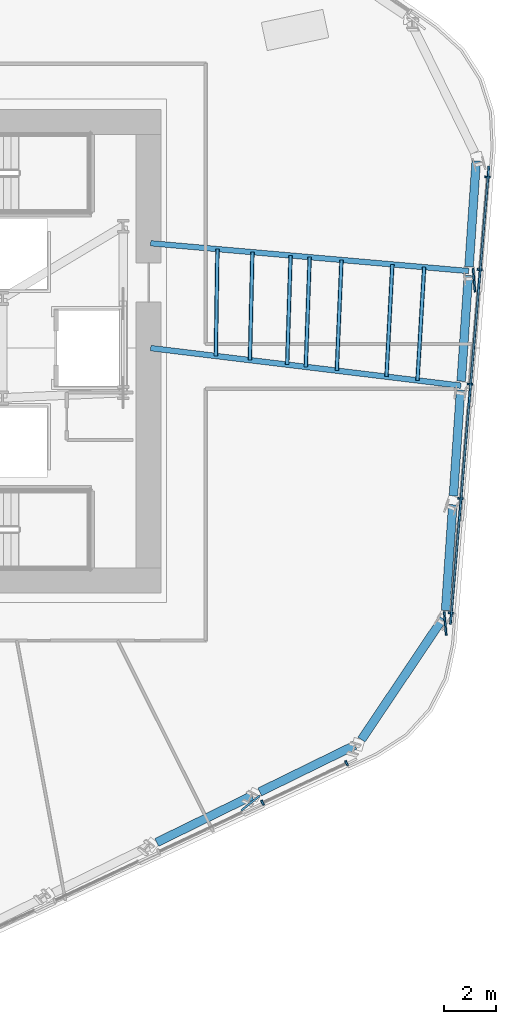
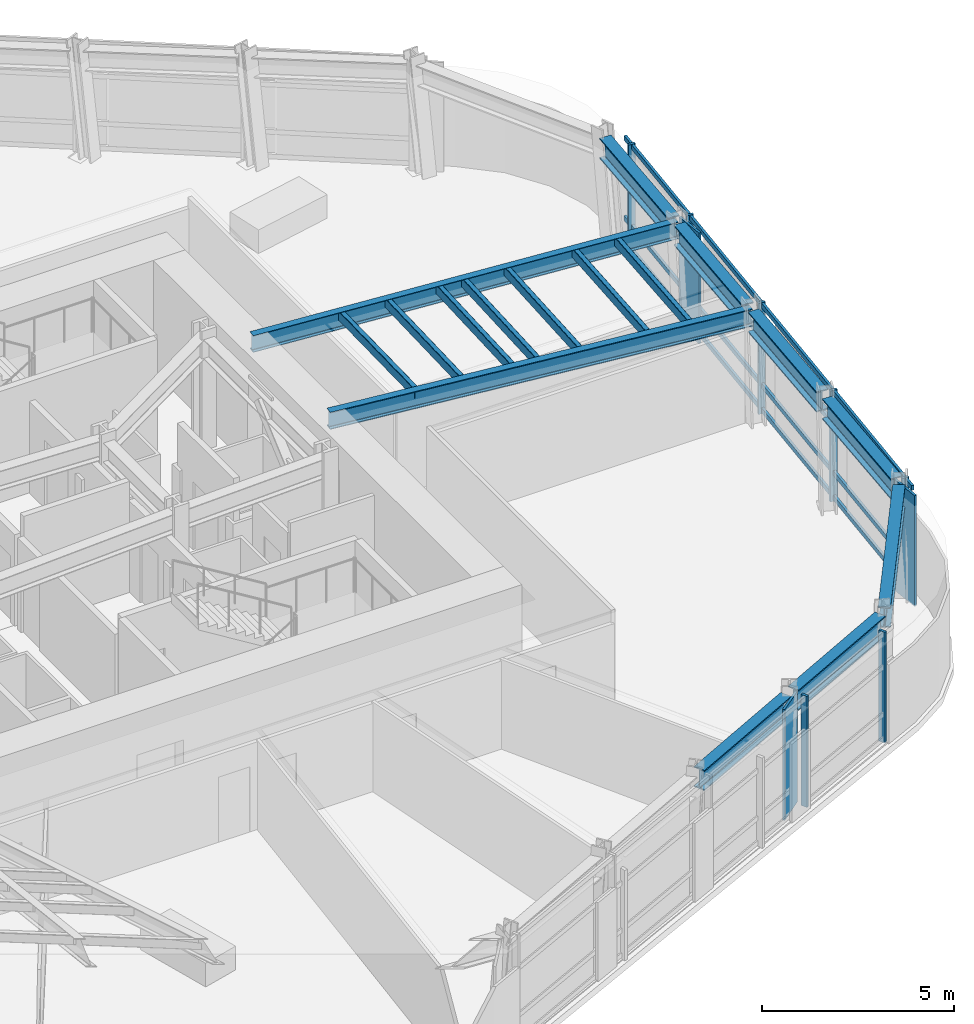
# One storey, part 5 of 19: 21 members, 9 beams, 2 elements without a shape of their own.
"""IFC4 building model written with IfcOpenShell, lengths in metres."""

from ifc_helpers import new_model, si_unit, direction, frame, origin, origin_2d, place, context, subcontext, project, spatial, rectangle, hollow_rectangle, i_section, extrude, material, layer, layer_set, material_profile, profile_set, type_object, element, aggregate, save


model = new_model("IFC4")

# Units and contexts
model_context = context("Model", 3, precision=1e-05, world=origin(), true_north=direction((0.0, 1.0)))
body_context = subcontext(model_context, "Body", "Model", "MODEL_VIEW")
ifc_project = project(units=[si_unit("LENGTHUNIT", "METRE"), si_unit("AREAUNIT", "SQUARE_METRE"), si_unit("VOLUMEUNIT", "CUBIC_METRE"), si_unit("PLANEANGLEUNIT", "RADIAN"), si_unit("MASSUNIT", "GRAM", prefix="KILO")], contexts=[model_context])

# Site, building, storey
site_placement = place(None, origin())
site = spatial("IfcSite", under=ifc_project, at=site_placement, CompositionType="ELEMENT")
building_placement = place(site_placement, origin())
building = spatial("IfcBuilding", under=site, at=building_placement, Name="Valkerne Bourse Tower", CompositionType="ELEMENT")
storey_placement = place(building_placement, frame((0.0, 0.0, 131.39990234375)))
storey = spatial("IfcBuildingStorey", under=building, at=storey_placement, Name="L33", CompositionType="ELEMENT", Elevation=131.39990234375)

# Beams
ifc_material_1 = material(Name="Steel ASTM A992", Category="steel")
ifc_material_profile_1 = material_profile(ifc_material_1, i_section(OverallWidth=0.209228515625, OverallDepth=0.533447265625, WebThickness=0.01025390625, FlangeThickness=0.015625, FilletRadius=0.017822265625, at=origin_2d()), Name="W21X62")
ifc_profile_set_1 = profile_set([ifc_material_profile_1], Name="Steel ASTM A992")
beam_type_1 = type_object("IfcBeamType", Name="BM-W21X62", PredefinedType="JOIST", material=ifc_profile_set_1)
beam_1_placement = place(storey_placement, frame((68.136962890625, 29.938720703125, 3.25341796875), z_axis=(-0.99619874035, 0.087109527172, 0.0), x_axis=(-0.087109527172, -0.99619874035, 0.0)))
element("IfcBeam", 1, at=beam_1_placement, inside=storey, type_object=beam_type_1, Name="L33 Radial Composite Floor Beam 28", PredefinedType="JOIST", context=body_context, shape_type="SweptSolid", body=[
    extrude(i_section(OverallWidth=0.209228515625, OverallDepth=0.533447265625, WebThickness=0.01025390625, FlangeThickness=0.015625, FilletRadius=0.017822265625, at=origin_2d()), origin(), (0.0, 0.0, 1.0), 12.183349609375),
])
ifc_material_profile_2 = material_profile(ifc_material_1, i_section(OverallWidth=0.2138671875, OverallDepth=0.548583984375, WebThickness=0.0146484375, FlangeThickness=0.023681640625, FilletRadius=0.017822265625, at=origin_2d()), Name="W21X93")
ifc_profile_set_2 = profile_set([ifc_material_profile_2], Name="Steel ASTM A992")
beam_type_2 = type_object("IfcBeamType", Name="BM-W21X93", PredefinedType="BEAM", material=ifc_profile_set_2)
beam_2_placement = place(storey_placement, frame((67.8388671875, 25.565673828125, 3.245849609375), z_axis=(-0.992740672423, 0.120274508176, 0.0), x_axis=(-0.120274508176, -0.992740672423, 0.0)))
element("IfcBeam", 2, at=beam_2_placement, inside=storey, type_object=beam_type_2, Name="L33 Radial Composite Floor Beam 27", PredefinedType="BEAM", context=body_context, shape_type="SweptSolid", body=[
    extrude(i_section(OverallWidth=0.2138671875, OverallDepth=0.548583984375, WebThickness=0.0146484375, FlangeThickness=0.023681640625, FilletRadius=0.017822265625, at=origin_2d()), origin(), (0.0, 0.0, 1.0), 11.925537109375),
])
ifc_material_profile_3 = material_profile(ifc_material_1, i_section(OverallWidth=0.330078125, OverallDepth=0.647705078125, WebThickness=0.0205078125, FlangeThickness=0.037109375, FilletRadius=0.020263671875, at=origin_2d()), Name="W24X192")
ifc_profile_set_3 = profile_set([ifc_material_profile_3], Name="Steel ASTM A992")
beam_type_3 = type_object("IfcBeamType", Name="BM-W24X192", PredefinedType="SPANDREL", material=ifc_profile_set_3)
for number, where, z_axis, x_axis, name in (
    (3, (56.22998046875, 8.137451171875, 3.1962890625), (0.898033008818, 0.439928079432, 0.0), (-0.439928079432, 0.898033008818, 0.0), "L33 Hexagonal Spandrel Ring Beam 22"),
    (4, (60.166015625, 10.065673828125, 3.1962890625), (0.898009150567, 0.439976778363, 0.0), (-0.439976778363, 0.898009150567, 0.0), "L33 Hexagonal Spandrel Ring Beam 23"),
):
    element("IfcBeam", number, at=place(storey_placement, frame(where, z_axis=z_axis, x_axis=x_axis)), inside=storey, type_object=beam_type_3, Name=name, PredefinedType="SPANDREL", context=body_context, shape_type="SweptSolid", body=[
        extrude(i_section(OverallWidth=0.330078125, OverallDepth=0.647705078125, WebThickness=0.0205078125, FlangeThickness=0.037109375, FilletRadius=0.020263671875, at=origin_2d()), origin(), (0.0, 0.0, 1.0), 4.04296875),
    ])
beam_3_placement = place(storey_placement, frame((64.044189453125, 12.060302734375, 3.1962890625), z_axis=(0.557764198192, 0.829999457358, 0.0), x_axis=(-0.829999457358, 0.557764198192, 0.0)))
element("IfcBeam", 5, at=beam_3_placement, inside=storey, type_object=beam_type_3, Name="L33 Hexagonal Spandrel Ring Beam 24", PredefinedType="SPANDREL", context=body_context, shape_type="SweptSolid", body=[
    extrude(i_section(OverallWidth=0.330078125, OverallDepth=0.647705078125, WebThickness=0.0205078125, FlangeThickness=0.037109375, FilletRadius=0.020263671875, at=origin_2d()), origin(), (0.0, 0.0, 1.0), 5.564697265625),
])
beam_4_placement = place(storey_placement, frame((67.25439453125, 16.989501953125, 3.1962890625), z_axis=(0.067993835171, 0.997685741293, 0.0), x_axis=(-0.997685741293, 0.067993835171, 0.0)))
element("IfcBeam", 6, at=beam_4_placement, inside=storey, type_object=beam_type_3, Name="L33 Hexagonal Spandrel Ring Beam 25", PredefinedType="SPANDREL", context=body_context, shape_type="SweptSolid", body=[
    extrude(i_section(OverallWidth=0.330078125, OverallDepth=0.647705078125, WebThickness=0.0205078125, FlangeThickness=0.037109375, FilletRadius=0.020263671875, at=origin_2d()), origin(), (0.0, 0.0, 1.0), 4.04296875),
])
beam_5_placement = place(storey_placement, frame((67.552490234375, 21.362548828125, 3.1962890625), z_axis=(0.067997931743, 0.997685462097, 0.0), x_axis=(-0.997685462097, 0.067997931743, 0.0)))
element("IfcBeam", 7, at=beam_5_placement, inside=storey, type_object=beam_type_3, Name="L33 Hexagonal Spandrel Ring Beam 26", PredefinedType="SPANDREL", context=body_context, shape_type="SweptSolid", body=[
    extrude(i_section(OverallWidth=0.330078125, OverallDepth=0.647705078125, WebThickness=0.0205078125, FlangeThickness=0.037109375, FilletRadius=0.020263671875, at=origin_2d()), origin(), (0.0, 0.0, 1.0), 4.042724609375),
])
for number, where, z_axis, x_axis, name in (
    (8, (67.8505859375, 25.7353515625, 3.1962890625), (0.067993835171, 0.997685741293, 0.0), (-0.997685741293, 0.067993835171, 0.0), "L33 Hexagonal Spandrel Ring Beam 27"),
    (9, (68.148681640625, 30.108154296875, 3.1962890625), (0.067993835171, 0.997685741293, 0.0), (-0.997685741293, 0.067993835171, 0.0), "L33 Hexagonal Spandrel Ring Beam 28"),
):
    element("IfcBeam", number, at=place(storey_placement, frame(where, z_axis=z_axis, x_axis=x_axis)), inside=storey, type_object=beam_type_3, Name=name, PredefinedType="SPANDREL", context=body_context, shape_type="SweptSolid", body=[
        extrude(i_section(OverallWidth=0.330078125, OverallDepth=0.647705078125, WebThickness=0.0205078125, FlangeThickness=0.037109375, FilletRadius=0.020263671875, at=origin_2d()), origin(), (0.0, 0.0, 1.0), 4.04296875),
    ])

# Curtain wall, members
ifc_material_2 = material(Name="Aluminium AA 6063-T6", Category="aluminium")
ifc_layer = layer(ifc_material_2, 0.22998046875)
ifc_layer_set = layer_set([ifc_layer], Name="Aluminium AA 6063-T6")
curtain_wall_type = type_object("IfcCurtainWallType", Name="CW-02", PredefinedType="NOTDEFINED", material=ifc_layer_set)
curtain_wall_1_placement = place(storey_placement, origin())
curtain_wall_1 = element("IfcCurtainWall", 10, at=curtain_wall_1_placement, inside=storey, type_object=curtain_wall_type, Name="L33 Hexagonal Stick Curtain Wall Face 5", PredefinedType="NOTDEFINED")
ifc_material_profile_4 = material_profile(ifc_material_2, rectangle(XDim=0.074951171875, YDim=0.199951171875, at=origin_2d()), Name="CWM-75X200")
ifc_profile_set_4 = profile_set([ifc_material_profile_4], Name="Aluminium AA 6063-T6")
member_type_1 = type_object("IfcMemberType", Name="CW-MUL-220X75", PredefinedType="MULLION", material=ifc_profile_set_4)
member_1_placement = place(storey_placement, frame((60.269287109375, 9.65673828125, 0.0), z_axis=(0.0, 0.0, 1.0), x_axis=(0.904832662714, 0.425767368977, 0.0)))
member_1 = element("IfcMember", 11, at=member_1_placement, type_object=member_type_1, Name="CW-L33-F5 Jamb Mullion 03A", PredefinedType="MULLION", context=body_context, shape_type="SweptSolid", body=[
    extrude(rectangle(XDim=0.074951171875, YDim=0.199951171875, at=origin_2d()), origin(), (0.0, 0.0, 1.0), 3.52001953125),
])
member_2_placement = place(storey_placement, frame((63.47509765625, 11.1650390625, 0.0), z_axis=(0.0, 0.0, 1.0), x_axis=(0.904832662714, 0.425767368977, 0.0)))
member_2 = element("IfcMember", 12, at=member_2_placement, type_object=member_type_1, Name="CW-L33-F5 Jamb Mullion 03B", PredefinedType="MULLION", context=body_context, shape_type="SweptSolid", body=[
    extrude(rectangle(XDim=0.074951171875, YDim=0.199951171875, at=origin_2d()), origin(), (0.0, 0.0, 1.0), 3.52001953125),
])
aggregate(curtain_wall_1, [member_1, member_2])

curtain_wall_2_placement = place(storey_placement, origin())
curtain_wall_2 = element("IfcCurtainWall", 13, at=curtain_wall_2_placement, inside=storey, type_object=curtain_wall_type, Name="L33 Hexagonal Stick Curtain Wall Face 6", PredefinedType="NOTDEFINED")
member_3_placement = place(storey_placement, frame((67.4541015625, 16.890380859375, 0.0), z_axis=(0.0, 0.0, 1.0), x_axis=(0.083687445044, 0.996492052925, 0.0)))
member_3 = element("IfcMember", 14, at=member_3_placement, type_object=member_type_1, Name="CW-L33-F6 Jamb Mullion 00A", PredefinedType="MULLION", context=body_context, shape_type="SweptSolid", body=[
    extrude(rectangle(XDim=0.074951171875, YDim=0.199951171875, at=origin_2d()), origin(), (0.0, 0.0, 1.0), 3.52001953125),
])
member_4_placement = place(storey_placement, frame((67.821044921875, 21.2578125, 0.0), z_axis=(0.0, 0.0, 1.0), x_axis=(0.083687445044, 0.996492052925, 0.0)))
member_4 = element("IfcMember", 15, at=member_4_placement, type_object=member_type_1, Name="CW-L33-F6 Jamb Mullion 01A", PredefinedType="MULLION", context=body_context, shape_type="SweptSolid", body=[
    extrude(rectangle(XDim=0.074951171875, YDim=0.199951171875, at=origin_2d()), origin(), (0.0, 0.0, 1.0), 3.52001953125),
])
member_5_placement = place(storey_placement, frame((68.187744140625, 25.62548828125, 0.0), z_axis=(0.0, 0.0, 1.0), x_axis=(0.083662887107, 0.996494115046, 0.0)))
member_5 = element("IfcMember", 16, at=member_5_placement, type_object=member_type_1, Name="CW-L33-F6 Jamb Mullion 02A", PredefinedType="MULLION", context=body_context, shape_type="SweptSolid", body=[
    extrude(rectangle(XDim=0.074951171875, YDim=0.199951171875, at=origin_2d()), origin(), (0.0, 0.0, 1.0), 3.52001953125),
])
member_6_placement = place(storey_placement, frame((68.554443359375, 29.9931640625, 0.0), z_axis=(0.0, 0.0, 1.0), x_axis=(0.083687445044, 0.996492052925, 0.0)))
member_6 = element("IfcMember", 17, at=member_6_placement, type_object=member_type_1, Name="CW-L33-F6 Jamb Mullion 03A", PredefinedType="MULLION", context=body_context, shape_type="SweptSolid", body=[
    extrude(rectangle(XDim=0.074951171875, YDim=0.199951171875, at=origin_2d()), origin(), (0.0, 0.0, 1.0), 3.52001953125),
])
member_7_placement = place(storey_placement, frame((68.85107421875, 33.523681640625, 0.0), z_axis=(0.0, 0.0, 1.0), x_axis=(0.083687445044, 0.996492052925, 0.0)))
member_7 = element("IfcMember", 18, at=member_7_placement, type_object=member_type_1, Name="CW-L33-F6 Jamb Mullion 03B", PredefinedType="MULLION", context=body_context, shape_type="SweptSolid", body=[
    extrude(rectangle(XDim=0.074951171875, YDim=0.199951171875, at=origin_2d()), origin(), (0.0, 0.0, 1.0), 3.52001953125),
])
ifc_material_profile_5 = material_profile(ifc_material_2, rectangle(XDim=0.074951171875, YDim=0.14990234375, at=origin_2d()), Name="CWT-75X150")
ifc_profile_set_5 = profile_set([ifc_material_profile_5], Name="Aluminium AA 6063-T6")
member_type_2 = type_object("IfcMemberType", Name="CW-TRN-180X65", PredefinedType="USERDEFINED", material=ifc_profile_set_5)
member_8_placement = place(storey_placement, frame((67.43896484375, 16.47021484375, 0.1201171875), z_axis=(0.083678159723, 0.996492832681, 0.0), x_axis=(-0.996492832681, 0.083678159723, 0.0)))
member_8 = element("IfcMember", 19, at=member_8_placement, type_object=member_type_2, Name="CW-L33-F6 Continuous Face Transom 1", ObjectType="TRANSOM", PredefinedType="USERDEFINED", context=body_context, shape_type="SweptSolid", body=[
    extrude(rectangle(XDim=0.074951171875, YDim=0.14990234375, at=origin_2d()), origin(), (0.0, 0.0, 1.0), 17.531982421875),
])
member_9_placement = place(storey_placement, frame((67.43896484375, 16.47021484375, 0.900146484375), z_axis=(0.083678159723, 0.996492832681, 0.0), x_axis=(-0.996492832681, 0.083678159723, 0.0)))
member_9 = element("IfcMember", 20, at=member_9_placement, type_object=member_type_2, Name="CW-L33-F6 Continuous Face Transom 2", ObjectType="TRANSOM", PredefinedType="USERDEFINED", context=body_context, shape_type="SweptSolid", body=[
    extrude(rectangle(XDim=0.074951171875, YDim=0.14990234375, at=origin_2d()), origin(), (0.0, 0.0, 1.0), 17.531982421875),
])
member_10_placement = place(storey_placement, frame((67.43896484375, 16.47021484375, 2.400146484375), z_axis=(0.083678159723, 0.996492832681, 0.0), x_axis=(-0.996492832681, 0.083678159723, 0.0)))
member_10 = element("IfcMember", 21, at=member_10_placement, type_object=member_type_2, Name="CW-L33-F6 Continuous Face Transom 3", ObjectType="TRANSOM", PredefinedType="USERDEFINED", context=body_context, shape_type="SweptSolid", body=[
    extrude(rectangle(XDim=0.074951171875, YDim=0.14990234375, at=origin_2d()), origin(), (0.0, 0.0, 1.0), 17.531982421875),
])
member_11_placement = place(storey_placement, frame((67.43896484375, 16.47021484375, 3.440185546875), z_axis=(0.083678159723, 0.996492832681, 0.0), x_axis=(-0.996492832681, 0.083678159723, 0.0)))
member_11 = element("IfcMember", 22, at=member_11_placement, type_object=member_type_2, Name="CW-L33-F6 Continuous Face Transom 4", ObjectType="TRANSOM", PredefinedType="USERDEFINED", context=body_context, shape_type="SweptSolid", body=[
    extrude(rectangle(XDim=0.074951171875, YDim=0.14990234375, at=origin_2d()), origin(), (0.0, 0.0, 1.0), 17.531982421875),
])
aggregate(curtain_wall_2, [member_8, member_9, member_10, member_11, member_3, member_4, member_5, member_6, member_7])

# Members
ifc_material_3 = material(Name="Bronze Anodised Aluminium AA 6063-T6", Category="aluminium")
ifc_material_profile_6 = material_profile(ifc_material_3, rectangle(XDim=0.070068359375, YDim=0.89990234375, at=origin_2d()), Name="FIN-70X900")
ifc_profile_set_6 = profile_set([ifc_material_profile_6], Name="Bronze Anodised Aluminium AA 6063-T6")
member_type_3 = type_object("IfcMemberType", Name="FIN-SOLAR-900", PredefinedType="USERDEFINED", material=ifc_profile_set_6)
for number, where, z_axis, x_axis, name in (
    (23, (59.812744140625, 9.640625, 0.004150390625), (0.0, 0.0, 1.0), (0.625283521661, -0.780397666282, 0.0), "L33 Bronze Anodised Solar Fin F5-03"),
    (24, (67.239501953125, 16.48681640625, 0.004150390625), (0.0, 0.0, 1.0), (0.995961958968, 0.089776256824, 0.0), "L33 Bronze Anodised Solar Fin F6-00"),
    (25, (68.33984375, 29.589599609375, 0.004150390625), (0.0, 0.0, 1.0), (0.995961958968, 0.089776256824, 0.0), "L33 Bronze Anodised Solar Fin F6-03"),
):
    element("IfcMember", number, at=place(storey_placement, frame(where, z_axis=z_axis, x_axis=x_axis)), inside=storey, type_object=member_type_3, Name=name, ObjectType="SOLAR_FIN", PredefinedType="USERDEFINED", context=body_context, shape_type="SweptSolid", body=[
        extrude(rectangle(XDim=0.070068359375, YDim=0.89990234375, at=origin_2d()), origin(), (0.0, 0.0, 1.0), 3.511962890625),
    ])
ifc_material_4 = material(Name="Steel ASTM A500 Grade C", Category="steel")
ifc_material_profile_7 = material_profile(ifc_material_4, hollow_rectangle(XDim=0.14990234375, YDim=0.300048828125, WallThickness=0.012451171875, OuterFilletRadius=0.02490234375, at=origin_2d()), Name="HSS300X150X12.5")
ifc_profile_set_7 = profile_set([ifc_material_profile_7], Name="Steel ASTM A500 Grade C")
member_type_4 = type_object("IfcMemberType", Name="MBR-HSS300X150X12.5", PredefinedType="PURLIN", material=ifc_profile_set_7)
member_12_placement = place(storey_placement, frame((59.788330078125, 26.541015625, 3.360107421875), z_axis=(0.023166897414, 0.999731611416, 0.0), x_axis=(-0.999731611416, 0.023166897414, 0.0)))
element("IfcMember", 26, at=member_12_placement, inside=storey, type_object=member_type_4, Name="L33 Secondary Composite Floor Purlin I-27", PredefinedType="PURLIN", context=body_context, shape_type="SweptSolid", body=[
    extrude(hollow_rectangle(XDim=0.14990234375, YDim=0.300048828125, WallThickness=0.012451171875, OuterFilletRadius=0.02490234375, at=origin_2d()), origin(), (0.0, 0.0, 1.0), 4.12060546875),
])
member_13_placement = place(storey_placement, frame((61.208984375, 26.368896484375, 3.360107421875), z_axis=(0.031527471418, 0.999502885712, 0.0), x_axis=(-0.999502885712, 0.031527471418, 0.0)))
element("IfcMember", 27, at=member_13_placement, inside=storey, type_object=member_type_4, Name="L33 Secondary Composite Floor Purlin K-27", PredefinedType="PURLIN", context=body_context, shape_type="SweptSolid", body=[
    extrude(hollow_rectangle(XDim=0.14990234375, YDim=0.300048828125, WallThickness=0.012451171875, OuterFilletRadius=0.02490234375, at=origin_2d()), origin(), (0.0, 0.0, 1.0), 4.166015625),
])
member_14_placement = place(storey_placement, frame((61.91943359375, 26.28271484375, 3.360107421875), z_axis=(0.035608380938, 0.999365820512, 0.0), x_axis=(-0.999365820512, 0.035608380938, 0.0)))
element("IfcMember", 28, at=member_14_placement, inside=storey, type_object=member_type_4, Name="L33 Secondary Composite Floor Purlin M-27", PredefinedType="PURLIN", context=body_context, shape_type="SweptSolid", body=[
    extrude(hollow_rectangle(XDim=0.14990234375, YDim=0.300048828125, WallThickness=0.012451171875, OuterFilletRadius=0.02490234375, at=origin_2d()), origin(), (0.0, 0.0, 1.0), 4.189208984375),
])
member_15_placement = place(storey_placement, frame((64.99755859375, 25.909912109375, 3.360107421875), z_axis=(0.052818730136, 0.998604116628, 0.0), x_axis=(-0.998604116628, 0.052818730136, 0.0)))
element("IfcMember", 29, at=member_15_placement, inside=storey, type_object=member_type_4, Name="L33 Secondary Composite Floor Purlin O-27", PredefinedType="PURLIN", context=body_context, shape_type="SweptSolid", body=[
    extrude(hollow_rectangle(XDim=0.14990234375, YDim=0.300048828125, WallThickness=0.012451171875, OuterFilletRadius=0.02490234375, at=origin_2d()), origin(), (0.0, 0.0, 1.0), 4.28955078125),
])
member_16_placement = place(storey_placement, frame((63.103271484375, 26.139404296875, 3.360107421875), z_axis=(0.042329519403, 0.99910370422, 0.0), x_axis=(-0.99910370422, 0.042329519403, 0.0)))
element("IfcMember", 30, at=member_16_placement, inside=storey, type_object=member_type_4, Name="L33 Secondary Composite Floor Purlin Z-27", PredefinedType="PURLIN", context=body_context, shape_type="SweptSolid", body=[
    extrude(hollow_rectangle(XDim=0.14990234375, YDim=0.300048828125, WallThickness=0.012451171875, OuterFilletRadius=0.02490234375, at=origin_2d()), origin(), (0.0, 0.0, 1.0), 4.227783203125),
])
member_17_placement = place(storey_placement, frame((58.486083984375, 26.69873046875, 3.360107421875), z_axis=(0.015382795043, 0.999881677808, 0.0), x_axis=(-0.999881677808, 0.015382795043, 0.0)))
element("IfcMember", 31, at=member_17_placement, inside=storey, type_object=member_type_4, Name="L33 Secondary Composite Floor Purlin S-27", PredefinedType="PURLIN", context=body_context, shape_type="SweptSolid", body=[
    extrude(hollow_rectangle(XDim=0.14990234375, YDim=0.300048828125, WallThickness=0.012451171875, OuterFilletRadius=0.02490234375, at=origin_2d()), origin(), (0.0, 0.0, 1.0), 4.078857421875),
])
member_18_placement = place(storey_placement, frame((66.181396484375, 25.7666015625, 3.360107421875), z_axis=(0.059227931818, 0.99824448513, 0.0), x_axis=(-0.99824448513, 0.059227931818, 0.0)))
element("IfcMember", 32, at=member_18_placement, inside=storey, type_object=member_type_4, Name="L33 Secondary Composite Floor Purlin T-27", PredefinedType="PURLIN", context=body_context, shape_type="SweptSolid", body=[
    extrude(hollow_rectangle(XDim=0.14990234375, YDim=0.300048828125, WallThickness=0.012451171875, OuterFilletRadius=0.02490234375, at=origin_2d()), origin(), (0.0, 0.0, 1.0), 4.328125),
])

save(model, "model.ifc")
